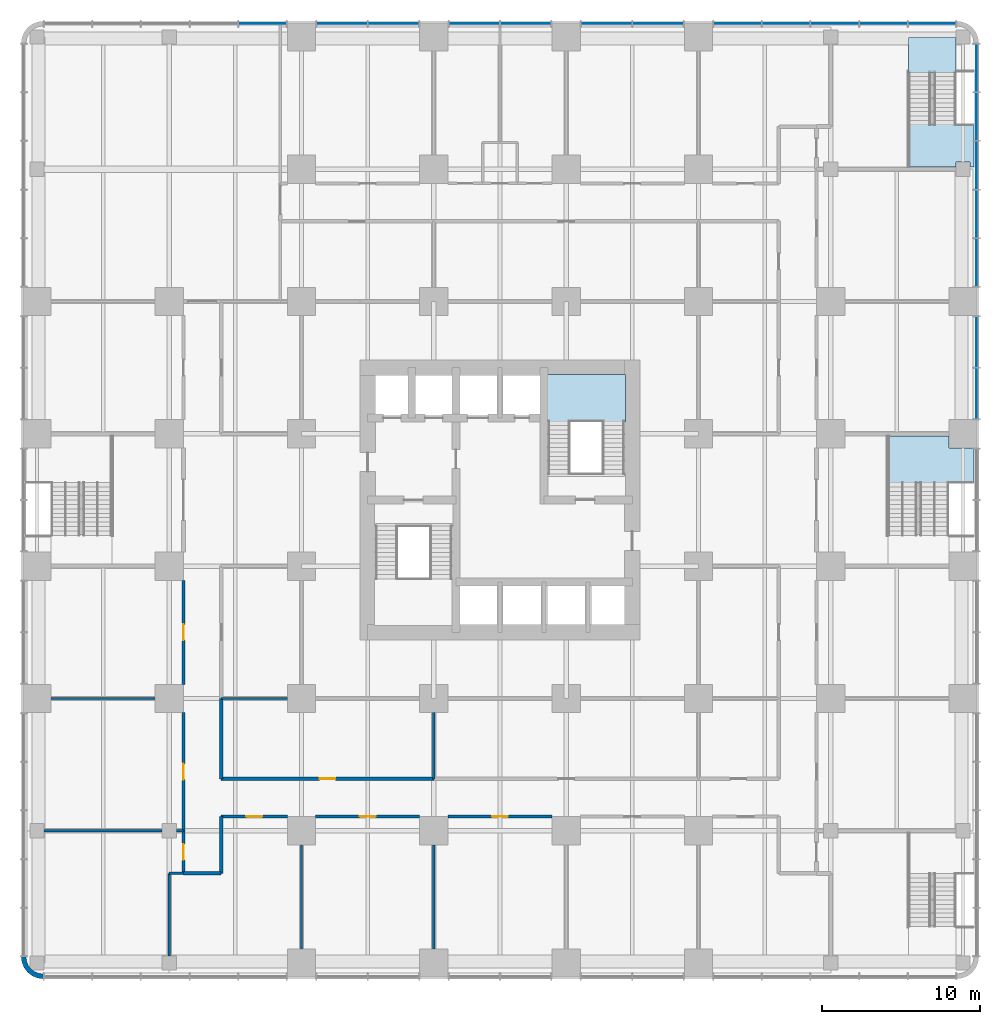
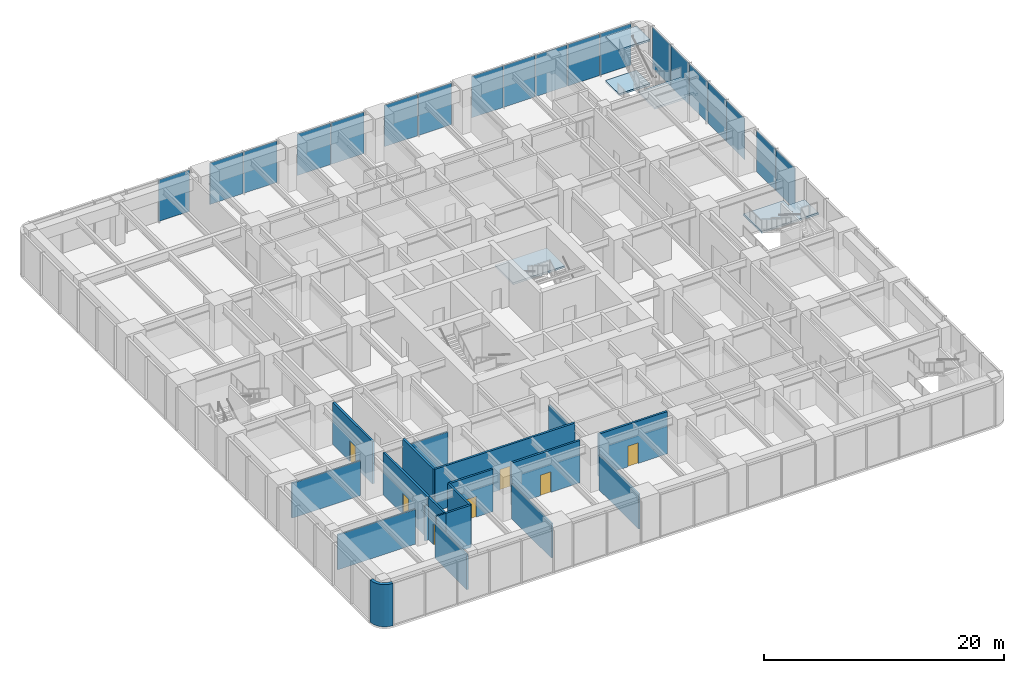
# One storey, part 9 of 17: 20 walls, 19 plates, 7 doors, 5 slabs, 7 openings, 5 elements without a shape of their own.
"""IFC4 building model written with IfcOpenShell, lengths in metres."""

from ifc_helpers import new_model, si_unit, direction, frame, frame_2d, origin, origin_2d, place, context, subcontext, project, spatial, polyline, rectangle, outline, extrude, material, layer, layer_set, type_object, element, fill, aggregate, save


model = new_model("IFC4")

# Units and contexts
model_context = context("Model", 3, precision=1e-05, world=origin(), true_north=direction((0.0, 1.0)))
body_context = subcontext(model_context, "Body", "Model", "MODEL_VIEW")
ifc_project = project(units=[si_unit("LENGTHUNIT", "METRE"), si_unit("AREAUNIT", "SQUARE_METRE"), si_unit("VOLUMEUNIT", "CUBIC_METRE"), si_unit("PLANEANGLEUNIT", "RADIAN"), si_unit("MASSUNIT", "GRAM", prefix="KILO")], contexts=[model_context])

# Site, building, storey
site_placement = place(None, origin())
site = spatial("IfcSite", under=ifc_project, at=site_placement, CompositionType="ELEMENT")
building_placement = place(site_placement, origin())
building = spatial("IfcBuilding", under=site, at=building_placement, Name="Torre Alcanfor", CompositionType="ELEMENT")
storey_placement = place(building_placement, frame((0.0, 0.0, 19.5)))
storey = spatial("IfcBuildingStorey", under=building, at=storey_placement, Name="L04", CompositionType="ELEMENT", Elevation=19.5)

# Curtain wall, plates
ifc_material_1 = material(Name="Aluminium and glass", Category="aluminium")
curtain_wall_type = type_object("IfcCurtainWallType", Name="CW-B unitised classroom glazing with vertical FIN", PredefinedType="NOTDEFINED", material=ifc_material_1)
curtain_wall_1_placement = place(storey_placement, origin())
curtain_wall_1 = element("IfcCurtainWall", 1, at=curtain_wall_1_placement, inside=storey, type_object=curtain_wall_type, Name="Curtain wall CW-B L04 1", PredefinedType="NOTDEFINED")
ifc_material_2 = material(Name="Glass", Category="glass")
ifc_layer_1 = layer(ifc_material_2, 0.028076171875)
ifc_layer_set_1 = layer_set([ifc_layer_1], Name="CW-B clear double glazed unit")
plate_type = type_object("IfcPlateType", Name="CW-B clear double glazed unit", PredefinedType="CURTAIN_PANEL", material=ifc_layer_set_1)
plate_1_placement = place(storey_placement, frame((59.64990234375, 36.168701171875, 0.0), z_axis=(0.0, 0.0, 1.0), x_axis=(0.0, 1.0, 0.0)))
plate_1 = element("IfcPlate", 2, at=plate_1_placement, type_object=plate_type, Name="CW-B panel 4.1.1", PredefinedType="CURTAIN_PANEL", context=body_context, shape_type="SweptSolid", body=[
    extrude(rectangle(XDim=3.197509765625, YDim=0.028076171875, at=origin_2d()), origin(), (0.0, 0.0, 1.0), 4.235107421875),
])
plate_2_placement = place(storey_placement, frame((59.64990234375, 39.43115234375, 0.0), z_axis=(0.0, 0.0, 1.0), x_axis=(0.0, 1.0, 0.0)))
plate_2 = element("IfcPlate", 3, at=plate_2_placement, type_object=plate_type, Name="CW-B panel 4.2.1", PredefinedType="CURTAIN_PANEL", context=body_context, shape_type="SweptSolid", body=[
    extrude(rectangle(XDim=3.197509765625, YDim=0.028076171875, at=origin_2d()), origin(), (0.0, 0.0, 1.0), 4.235107421875),
])
plate_3_placement = place(storey_placement, frame((59.64990234375, 44.470703125, 0.0), z_axis=(0.0, 0.0, 1.0), x_axis=(0.0, 1.0, 0.0)))
plate_3 = element("IfcPlate", 4, at=plate_3_placement, type_object=plate_type, Name="CW-B panel 5.1.1", PredefinedType="CURTAIN_PANEL", context=body_context, shape_type="SweptSolid", body=[
    extrude(rectangle(XDim=3.00146484375, YDim=0.028076171875, at=origin_2d()), origin(), (0.0, 0.0, 1.0), 4.235107421875),
])
plate_4_placement = place(storey_placement, frame((59.64990234375, 47.553466796875, 0.0), z_axis=(0.0, 0.0, 1.0), x_axis=(0.0, 1.0, 0.0)))
plate_4 = element("IfcPlate", 5, at=plate_4_placement, type_object=plate_type, Name="CW-B panel 5.2.1", PredefinedType="CURTAIN_PANEL", context=body_context, shape_type="SweptSolid", body=[
    extrude(rectangle(XDim=3.033935546875, YDim=0.028076171875, at=origin_2d()), origin(), (0.0, 0.0, 1.0), 4.235107421875),
])
plate_5_placement = place(storey_placement, frame((59.64990234375, 50.652587890625, 0.0), z_axis=(0.0, 0.0, 1.0), x_axis=(0.0, 1.0, 0.0)))
plate_5 = element("IfcPlate", 6, at=plate_5_placement, type_object=plate_type, Name="CW-B panel 5.3.1", PredefinedType="CURTAIN_PANEL", context=body_context, shape_type="SweptSolid", body=[
    extrude(rectangle(XDim=3.033935546875, YDim=0.028076171875, at=origin_2d()), origin(), (0.0, 0.0, 1.0), 4.235107421875),
])
plate_6_placement = place(storey_placement, frame((59.64990234375, 53.75146484375, 0.0), z_axis=(0.0, 0.0, 1.0), x_axis=(0.0, 1.0, 0.0)))
plate_6 = element("IfcPlate", 7, at=plate_6_placement, type_object=plate_type, Name="CW-B panel 5.4.1", PredefinedType="CURTAIN_PANEL", context=body_context, shape_type="SweptSolid", body=[
    extrude(rectangle(XDim=3.033935546875, YDim=0.028076171875, at=origin_2d()), origin(), (0.0, 0.0, 1.0), 4.235107421875),
])
plate_7_placement = place(storey_placement, frame((59.64990234375, 56.834228515625, 0.0), z_axis=(0.0, 0.0, 1.0), x_axis=(0.0, 1.0, 0.0)))
plate_7 = element("IfcPlate", 8, at=plate_7_placement, type_object=plate_type, Name="CW-B panel 5.5.1", PredefinedType="CURTAIN_PANEL", context=body_context, shape_type="SweptSolid", body=[
    extrude(rectangle(XDim=3.00146484375, YDim=0.028076171875, at=origin_2d()), origin(), (0.0, 0.0, 1.0), 4.235107421875),
])
aggregate(curtain_wall_1, [plate_1, plate_2, plate_3, plate_4, plate_5, plate_6, plate_7])

curtain_wall_2_placement = place(storey_placement, origin())
curtain_wall_2 = element("IfcCurtainWall", 9, at=curtain_wall_2_placement, inside=storey, type_object=curtain_wall_type, Name="Curtain wall CW-B L04 2", PredefinedType="NOTDEFINED")
plate_8_placement = place(storey_placement, frame((56.834228515625, 59.64990234375, 0.0), z_axis=(0.0, 0.0, 1.0), x_axis=(-1.0, 0.0, 0.0)))
plate_8 = element("IfcPlate", 10, at=plate_8_placement, type_object=plate_type, Name="CW-B panel 1.1.1", PredefinedType="CURTAIN_PANEL", context=body_context, shape_type="SweptSolid", body=[
    extrude(rectangle(XDim=3.00146484375, YDim=0.028076171875, at=origin_2d()), origin(), (0.0, 0.0, 1.0), 4.235107421875),
])
plate_9_placement = place(storey_placement, frame((53.75146484375, 59.64990234375, 0.0), z_axis=(0.0, 0.0, 1.0), x_axis=(-1.0, 0.0, 0.0)))
plate_9 = element("IfcPlate", 11, at=plate_9_placement, type_object=plate_type, Name="CW-B panel 1.2.1", PredefinedType="CURTAIN_PANEL", context=body_context, shape_type="SweptSolid", body=[
    extrude(rectangle(XDim=3.033935546875, YDim=0.028076171875, at=origin_2d()), origin(), (0.0, 0.0, 1.0), 4.235107421875),
])
plate_10_placement = place(storey_placement, frame((50.652587890625, 59.64990234375, 0.0), z_axis=(0.0, 0.0, 1.0), x_axis=(-1.0, 0.0, 0.0)))
plate_10 = element("IfcPlate", 12, at=plate_10_placement, type_object=plate_type, Name="CW-B panel 1.3.1", PredefinedType="CURTAIN_PANEL", context=body_context, shape_type="SweptSolid", body=[
    extrude(rectangle(XDim=3.033935546875, YDim=0.028076171875, at=origin_2d()), origin(), (0.0, 0.0, 1.0), 4.235107421875),
])
plate_11_placement = place(storey_placement, frame((47.553466796875, 59.64990234375, 0.0), z_axis=(0.0, 0.0, 1.0), x_axis=(-1.0, 0.0, 0.0)))
plate_11 = element("IfcPlate", 13, at=plate_11_placement, type_object=plate_type, Name="CW-B panel 1.4.1", PredefinedType="CURTAIN_PANEL", context=body_context, shape_type="SweptSolid", body=[
    extrude(rectangle(XDim=3.033935546875, YDim=0.028076171875, at=origin_2d()), origin(), (0.0, 0.0, 1.0), 4.235107421875),
])
plate_12_placement = place(storey_placement, frame((44.470703125, 59.64990234375, 0.0), z_axis=(0.0, 0.0, 1.0), x_axis=(-1.0, 0.0, 0.0)))
plate_12 = element("IfcPlate", 14, at=plate_12_placement, type_object=plate_type, Name="CW-B panel 1.5.1", PredefinedType="CURTAIN_PANEL", context=body_context, shape_type="SweptSolid", body=[
    extrude(rectangle(XDim=3.00146484375, YDim=0.028076171875, at=origin_2d()), origin(), (0.0, 0.0, 1.0), 4.235107421875),
])
plate_13_placement = place(storey_placement, frame((39.43115234375, 59.64990234375, 0.0), z_axis=(0.0, 0.0, 1.0), x_axis=(-1.0, 0.0, 0.0)))
plate_13 = element("IfcPlate", 15, at=plate_13_placement, type_object=plate_type, Name="CW-B panel 2.1.1", PredefinedType="CURTAIN_PANEL", context=body_context, shape_type="SweptSolid", body=[
    extrude(rectangle(XDim=3.197509765625, YDim=0.028076171875, at=origin_2d()), origin(), (0.0, 0.0, 1.0), 4.235107421875),
])
plate_14_placement = place(storey_placement, frame((36.168701171875, 59.64990234375, 0.0), z_axis=(0.0, 0.0, 1.0), x_axis=(-1.0, 0.0, 0.0)))
plate_14 = element("IfcPlate", 16, at=plate_14_placement, type_object=plate_type, Name="CW-B panel 2.2.1", PredefinedType="CURTAIN_PANEL", context=body_context, shape_type="SweptSolid", body=[
    extrude(rectangle(XDim=3.197509765625, YDim=0.028076171875, at=origin_2d()), origin(), (0.0, 0.0, 1.0), 4.235107421875),
])
plate_15_placement = place(storey_placement, frame((31.03125, 59.64990234375, 0.0), z_axis=(0.0, 0.0, 1.0), x_axis=(-1.0, 0.0, 0.0)))
plate_15 = element("IfcPlate", 17, at=plate_15_placement, type_object=plate_type, Name="CW-B panel 3.1.1", PredefinedType="CURTAIN_PANEL", context=body_context, shape_type="SweptSolid", body=[
    extrude(rectangle(XDim=3.197509765625, YDim=0.028076171875, at=origin_2d()), origin(), (0.0, 0.0, 1.0), 4.235107421875),
])
plate_16_placement = place(storey_placement, frame((27.768798828125, 59.64990234375, 0.0), z_axis=(0.0, 0.0, 1.0), x_axis=(-1.0, 0.0, 0.0)))
plate_16 = element("IfcPlate", 18, at=plate_16_placement, type_object=plate_type, Name="CW-B panel 3.2.1", PredefinedType="CURTAIN_PANEL", context=body_context, shape_type="SweptSolid", body=[
    extrude(rectangle(XDim=3.197509765625, YDim=0.028076171875, at=origin_2d()), origin(), (0.0, 0.0, 1.0), 4.235107421875),
])
plate_17_placement = place(storey_placement, frame((22.63134765625, 59.64990234375, 0.0), z_axis=(0.0, 0.0, 1.0), x_axis=(-1.0, 0.0, 0.0)))
plate_17 = element("IfcPlate", 19, at=plate_17_placement, type_object=plate_type, Name="CW-B panel 4.1.1", PredefinedType="CURTAIN_PANEL", context=body_context, shape_type="SweptSolid", body=[
    extrude(rectangle(XDim=3.197509765625, YDim=0.028076171875, at=origin_2d()), origin(), (0.0, 0.0, 1.0), 4.235107421875),
])
plate_18_placement = place(storey_placement, frame((19.36865234375, 59.64990234375, 0.0), z_axis=(0.0, 0.0, 1.0), x_axis=(-1.0, 0.0, 0.0)))
plate_18 = element("IfcPlate", 20, at=plate_18_placement, type_object=plate_type, Name="CW-B panel 4.2.1", PredefinedType="CURTAIN_PANEL", context=body_context, shape_type="SweptSolid", body=[
    extrude(rectangle(XDim=3.197509765625, YDim=0.028076171875, at=origin_2d()), origin(), (0.0, 0.0, 1.0), 4.235107421875),
])
plate_19_placement = place(storey_placement, frame((14.329345703125, 59.64990234375, 0.0), z_axis=(0.0, 0.0, 1.0), x_axis=(-1.0, 0.0, 0.0)))
plate_19 = element("IfcPlate", 21, at=plate_19_placement, type_object=plate_type, Name="CW-B panel 5.1.1", PredefinedType="CURTAIN_PANEL", context=body_context, shape_type="SweptSolid", body=[
    extrude(rectangle(XDim=3.00146484375, YDim=0.028076171875, at=origin_2d()), origin(), (0.0, 0.0, 1.0), 4.235107421875),
])
aggregate(curtain_wall_2, [plate_8, plate_9, plate_10, plate_11, plate_12, plate_13, plate_14, plate_15, plate_16, plate_17, plate_18, plate_19])

# Stair, slab
ifc_material_3 = material(Name="Concrete f'c 35 MPa", Category="concrete")
stair_type_1 = type_object("IfcStairType", Name="Exit stair S2 1400 wide", PredefinedType="HALF_TURN_STAIR", material=ifc_material_3)
stair_1_placement = place(storey_placement, origin())
stair_1 = element("IfcStair", 22, at=stair_1_placement, inside=storey, type_object=stair_type_1, Name="Stair S2 L04 to L05", PredefinedType="HALF_TURN_STAIR")
ifc_material_4 = material(Name="Concrete f'c 35 MPa", Category="concrete")
ifc_layer_2 = layer(ifc_material_4, 0.199951171875)
ifc_layer_set_2 = layer_set([ifc_layer_2], Name="Stair landing 200")
slab_type = type_object("IfcSlabType", Name="Stair landing 200", PredefinedType="LANDING", material=ifc_layer_set_2)
slab_1_placement = place(storey_placement, frame((0.0, 0.0, 2.050048828125)))
slab_1 = element("IfcSlab", 23, at=slab_1_placement, type_object=slab_type, Name="S2 landing 2", PredefinedType="LANDING", context=body_context, shape_type="SweptSolid", body=[
    extrude(outline(polyline([(32.3701171875, 34.360107421875), (37.3798828125, 34.360107421875), (37.3798828125, 37.3798828125), (32.3701171875, 37.3798828125), (32.3701171875, 34.360107421875)])), origin(), (0.0, 0.0, 1.0), 0.199951171875),
])
aggregate(stair_1, [slab_1])

ifc_material_5 = material(Name="Concrete f'c 35 MPa", Category="concrete")
stair_type_2 = type_object("IfcStairType", Name="Exit stair SS2 1830 wide", PredefinedType="HALF_TURN_STAIR", material=ifc_material_5)
stair_2_placement = place(storey_placement, origin())
stair_2 = element("IfcStair", 24, at=stair_2_placement, inside=storey, type_object=stair_type_2, Name="Stair SS2 L04 to L05", PredefinedType="HALF_TURN_STAIR")
slab_2_placement = place(storey_placement, frame((0.0, 0.0, 2.050048828125)))
slab_2 = element("IfcSlab", 25, at=slab_2_placement, type_object=slab_type, Name="SS2 landing 3", PredefinedType="LANDING", context=body_context, shape_type="SweptSolid", body=[
    extrude(outline(polyline([(59.5, 30.465087890625), (54.0400390625, 30.465087890625), (54.0400390625, 33.465087890625), (57.89990234375, 33.465087890625), (57.89990234375, 32.699951171875), (59.5, 32.699951171875), (59.5, 30.465087890625)])), origin(), (0.0, 0.0, 1.0), 0.199951171875),
])
aggregate(stair_2, [slab_2])

# Stair, slabs
ifc_material_6 = material(Name="Concrete f'c 35 MPa", Category="concrete")
stair_type_3 = type_object("IfcStairType", Name="Exit stair SS4 1400 wide", PredefinedType="HALF_TURN_STAIR", material=ifc_material_6)
stair_3_placement = place(storey_placement, origin())
stair_3 = element("IfcStair", 26, at=stair_3_placement, inside=storey, type_object=stair_type_3, Name="Stair SS4 L04 to L05", PredefinedType="HALF_TURN_STAIR")
slab_3_placement = place(storey_placement, frame((0.0, 0.0, 4.300048828125)))
slab_3 = element("IfcSlab", 27, at=slab_3_placement, type_object=slab_type, Name="SS4 landing 1", PredefinedType="LANDING", context=body_context, shape_type="SweptSolid", body=[
    extrude(outline(polyline([(58.35009765625, 56.52490234375), (58.35009765625, 58.77490234375), (55.35009765625, 58.77490234375), (55.35009765625, 56.52490234375), (58.35009765625, 56.52490234375)])), origin(), (0.0, 0.0, 1.0), 0.199951171875),
])
slab_4_placement = place(storey_placement, frame((0.0, 0.0, -0.199951171875)))
slab_4 = element("IfcSlab", 28, at=slab_4_placement, type_object=slab_type, Name="SS4 landing 2", PredefinedType="LANDING", context=body_context, shape_type="SweptSolid", body=[
    extrude(outline(polyline([(55.35009765625, 58.77490234375), (58.35009765625, 58.77490234375), (58.35009765625, 58.35009765625), (58.35009765625, 58.35009765625), (58.35009765625, 56.52490234375), (55.35009765625, 56.52490234375), (55.35009765625, 58.77490234375)])), origin(), (0.0, 0.0, 1.0), 0.199951171875),
])
slab_5_placement = place(storey_placement, frame((0.0, 0.0, 2.050048828125)))
slab_5 = element("IfcSlab", 29, at=slab_5_placement, type_object=slab_type, Name="SS4 landing 3", PredefinedType="LANDING", context=body_context, shape_type="SweptSolid", body=[
    extrude(outline(polyline([(55.35009765625, 50.5400390625), (55.35009765625, 53.264892578125), (59.5, 53.264892578125), (59.5, 50.5400390625), (59.25, 50.5400390625), (59.25, 50.85009765625), (58.35009765625, 50.85009765625), (58.35009765625, 50.5400390625), (55.35009765625, 50.5400390625)])), origin(), (0.0, 0.0, 1.0), 0.199951171875),
])
aggregate(stair_3, [slab_3, slab_4, slab_5])

# Walls
ifc_material_7 = material(Name="Concrete block masonry, hollow blocks NMX-C-404 9 MPa", Category="masonry")
ifc_layer_3 = layer(ifc_material_7, 0.14990234375)
ifc_layer_set_3 = layer_set([ifc_layer_3], Name="Classroom partition 150")
wall_type_1 = type_object("IfcWallType", Name="Classroom partition 150", PredefinedType="PARTITIONING", material=ifc_layer_set_3)
wall_1_placement = place(storey_placement, frame((8.39990234375, 0.449951171875, 0.0), z_axis=(0.0, 0.0, 1.0), x_axis=(0.0, 1.0, 0.0)))
element("IfcWall", 30, at=wall_1_placement, inside=storey, type_object=wall_type_1, Name="Partition L04-01 / L04-03", PredefinedType="PARTITIONING", context=body_context, shape_type="SweptSolid", body=[
    extrude(rectangle(XDim=5.25, YDim=0.14990234375, at=frame_2d((2.625, 0.0))), origin(), (0.0, 0.0, 1.0), 3.543212890625),
])
wall_2_placement = place(storey_placement, frame((8.39990234375, 5.699951171875, 0.0), z_axis=(0.0, 0.0, 1.0), x_axis=(1.0, 0.0, 0.0)))
element("IfcWall", 31, at=wall_2_placement, inside=storey, type_object=wall_type_1, Name="Partition L04-01 / L04-03", PredefinedType="PARTITIONING", context=body_context, shape_type="SweptSolid", body=[
    extrude(rectangle(XDim=0.900146484375, YDim=0.14990234375, at=frame_2d((0.4501953125, 0.0))), origin(), (0.0, 0.0, 1.0), 4.300048828125),
])
wall_3_placement = place(storey_placement, frame((16.800048828125, 7.5, 0.0), z_axis=(0.0, 0.0, 1.0), x_axis=(0.0, -1.0, 0.0)))
element("IfcWall", 32, at=wall_3_placement, inside=storey, type_object=wall_type_1, Name="Partition L04-01 / L04-05", PredefinedType="PARTITIONING", context=body_context, shape_type="SweptSolid", body=[
    extrude(rectangle(XDim=6.60009765625, YDim=0.14990234375, at=frame_2d((3.300048828125, 0.0))), origin(), (0.0, 0.0, 1.0), 3.543212890625),
])
wall_4_placement = place(storey_placement, frame((0.449951171875, 8.39990234375, 0.0), z_axis=(0.0, 0.0, 1.0), x_axis=(1.0, 0.0, 0.0)))
element("IfcWall", 33, at=wall_4_placement, inside=storey, type_object=wall_type_1, Name="Partition L04-03 / L04-08", PredefinedType="PARTITIONING", context=body_context, shape_type="SweptSolid", body=[
    extrude(rectangle(XDim=7.5, YDim=0.14990234375, at=frame_2d((3.75, 0.0))), origin(), (0.0, 0.0, 1.0), 3.543212890625),
])
wall_5_placement = place(storey_placement, frame((8.85009765625, 8.39990234375, 0.0), z_axis=(0.0, 0.0, 1.0), x_axis=(1.0, 0.0, 0.0)))
element("IfcWall", 34, at=wall_5_placement, inside=storey, type_object=wall_type_1, Name="Partition L04-03 / L04-08", PredefinedType="PARTITIONING", context=body_context, shape_type="SweptSolid", body=[
    extrude(rectangle(XDim=0.449951171875, YDim=0.14990234375, at=frame_2d((0.22509765625, 0.0))), origin(), (0.0, 0.0, 1.0), 3.543212890625),
])
for number, where, z_axis, x_axis, name in (
    (35, (25.199951171875, 7.5, 0.0), (0.0, 0.0, 1.0), (0.0, -1.0, 0.0), "Partition L04-05 / L04-06"),
    (36, (0.89990234375, 16.800048828125, 0.0), (0.0, 0.0, 1.0), (1.0, 0.0, 0.0), "Partition L04-08 / L04-10"),
):
    element("IfcWall", number, at=place(storey_placement, frame(where, z_axis=z_axis, x_axis=x_axis)), inside=storey, type_object=wall_type_1, Name=name, PredefinedType="PARTITIONING", context=body_context, shape_type="SweptSolid", body=[
        extrude(rectangle(XDim=6.60009765625, YDim=0.14990234375, at=frame_2d((3.300048828125, 0.0))), origin(), (0.0, 0.0, 1.0), 3.543212890625),
    ])
for number, where, z_axis, x_axis, name in (
    (37, (25.199951171875, 11.699951171875, 0.0), (0.0, 0.0, 1.0), (0.0, 1.0, 0.0), "Partition L04-I01 / L04-I02"),
    (38, (11.699951171875, 16.800048828125, 0.0), (0.0, 0.0, 1.0), (1.0, 0.0, 0.0), "Partition L04-I02 / L04-I04"),
):
    element("IfcWall", number, at=place(storey_placement, frame(where, z_axis=z_axis, x_axis=x_axis)), inside=storey, type_object=wall_type_1, Name=name, PredefinedType="PARTITIONING", context=body_context, shape_type="SweptSolid", body=[
        extrude(rectangle(XDim=4.199951171875, YDim=0.14990234375, at=frame_2d((2.10009765625, 0.0))), origin(), (0.0, 0.0, 1.0), 3.543212890625),
    ])
ifc_material_8 = material(Name="Limestone cladding", Category="masonry")
ifc_layer_4 = layer(ifc_material_8, 0.0400390625, Name="Facing")
ifc_material_9 = material(Name="Ventilated air cavity")
ifc_layer_5 = layer(ifc_material_9, 0.02001953125, ventilated=True, Name="Ventilated joint")
ifc_material_10 = material(Name="Mineral wool insulation", Category="insulation")
ifc_layer_6 = layer(ifc_material_10, 0.10009765625, Name="Insulation")
ifc_material_11 = material(Name="Concrete f'c 35 MPa", Category="concrete")
ifc_layer_7 = layer(ifc_material_11, 0.139892578125, Name="Backing")
ifc_layer_set_4 = layer_set([ifc_layer_4, ifc_layer_5, ifc_layer_6, ifc_layer_7], Name="Rounded corner pier stone-clad 300")
wall_type_2 = type_object("IfcWallType", Name="Rounded corner pier stone-clad 300", PredefinedType="SOLIDWALL", material=ifc_layer_set_4)
wall_6_placement = place(storey_placement, frame((-0.847901787, 0.444811019, 0.0), z_axis=(0.0, 0.0, 1.0), x_axis=(-0.707106781187, -0.707106781187, 0.0)))
element("IfcWall", 39, at=wall_6_placement, inside=storey, type_object=wall_type_2, Name="Corner pier L04 7", PredefinedType="SOLIDWALL", context=body_context, shape_type="SweptSolid", body=[
    extrude(outline(polyline([(0.13930490662203532, 1.9039664315138563), (-0.10082828005532996, 1.7197664960826926), (-0.08684496724377955, 1.705783183271142), (0.09959920357689223, 1.4627152272382664), (0.2092214706797873, 1.1980680847678131), (0.24668293833542226, 0.9140859912492898), (0.2092214706797873, 0.6301038977307667), (0.09959920357689234, 0.3654567552603133), (-0.0868449672437794, 0.12238879922743755), (-0.10082828005532977, 0.10840548641588717), (0.13930490662203537, -0.07579444901527647), (0.36182947716633707, 0.2140571832142678), (0.5016626052818409, 0.5517282925894844), (0.5491368154445118, 0.9140859912492898), (0.5016626052818408, 1.2764436899090952), (0.36182947716633707, 1.614114799284312), (0.13930490662203532, 1.9039664315138563)])), origin(), (0.0, 0.0, 1.0), 4.300048828125),
])
ifc_material_12 = material(Name="Concrete block masonry, hollow blocks NMX-C-404 9 MPa", Category="masonry")
ifc_layer_8 = layer(ifc_material_12, 0.199951171875)
ifc_layer_set_5 = layer_set([ifc_layer_8], Name="School corridor wall 200")
wall_type_3 = type_object("IfcWallType", Name="School corridor wall 200", PredefinedType="PARTITIONING", material=ifc_layer_set_5)
wall_7_placement = place(storey_placement, frame((9.300048828125, 5.699951171875, 0.0), z_axis=(0.0, 0.0, 1.0), x_axis=(1.0, 0.0, 0.0)))
element("IfcWall", 40, at=wall_7_placement, inside=storey, type_object=wall_type_3, Name="Partition L04-01 / L04-CORR", PredefinedType="PARTITIONING", context=body_context, shape_type="SweptSolid", body=[
    extrude(rectangle(XDim=2.39990234375, YDim=0.199951171875, at=frame_2d((1.199951171875, 0.0))), origin(), (0.0, 0.0, 1.0), 4.300048828125),
])
wall_8_placement = place(storey_placement, frame((11.699951171875, 5.699951171875, 0.0), z_axis=(0.0, 0.0, 1.0), x_axis=(0.0, 1.0, 0.0)))
element("IfcWall", 41, at=wall_8_placement, inside=storey, type_object=wall_type_3, Name="Partition L04-01 / L04-CORR", PredefinedType="PARTITIONING", context=body_context, shape_type="SweptSolid", body=[
    extrude(rectangle(XDim=3.60009765625, YDim=0.199951171875, at=frame_2d((1.800048828125, 0.0))), origin(), (0.0, 0.0, 1.0), 4.300048828125),
])

# Wall, opening, door
wall_9_placement = place(storey_placement, frame((11.699951171875, 9.300048828125, 0.0), z_axis=(0.0, 0.0, 1.0), x_axis=(1.0, 0.0, 0.0)))
wall_9 = element("IfcWall", 42, at=wall_9_placement, inside=storey, type_object=wall_type_3, Name="Partition L04-01 / L04-CORR", PredefinedType="PARTITIONING", context=body_context, shape_type="SweptSolid", body=[
    extrude(rectangle(XDim=4.199951171875, YDim=0.199951171875, at=frame_2d((2.10009765625, 0.0))), origin(), (0.0, 0.0, 1.0), 4.300048828125),
])
opening_1_placement = place(wall_9_placement, frame((1.60009765625, 0.0, 0.0)))
opening_1 = element("IfcOpeningElement", 43, at=opening_1_placement, cuts=wall_9, Name="Opening D-C1", PredefinedType="OPENING", context=body_context, shape_type="SweptSolid", body=[
    extrude(rectangle(XDim=1.0, YDim=2.10009765625, at=frame_2d((0.5, 1.050048828125))), frame((0.0, 0.10986328125, 0.0), z_axis=(0.0, -1.0, 0.0), x_axis=(1.0, 0.0, 0.0)), (0.0, 0.0, 1.0), 0.219970703125),
])
ifc_material_13 = material(Name="Timber", Category="wood")
door_type = type_object("IfcDoorType", Name="Classroom door 1000x2100", OperationType="SINGLE_SWING_RIGHT", PredefinedType="DOOR", material=ifc_material_13)
door_1_placement = place(opening_1_placement, frame((1.0, 0.0, 0.0), z_axis=(0.0, 0.0, 1.0), x_axis=(-1.0, 0.0, 0.0)))
door_1 = element("IfcDoor", 44, at=door_1_placement, inside=storey, type_object=door_type, Name="Door L04-01 classroom", OperationType="SINGLE_SWING_RIGHT", OverallHeight=2.10009765625, OverallWidth=1.0, PredefinedType="DOOR", context=body_context, shape_type="SweptSolid", body=[
    extrude(rectangle(XDim=1.0, YDim=2.10009765625, at=frame_2d((0.5, 1.050048828125))), frame((0.0, 0.025146484375, 0.0), z_axis=(0.0, -1.0, 0.0), x_axis=(1.0, 0.0, 0.0)), (0.0, 0.0, 1.0), 0.050048828125),
])
fill(opening_1, door_1)

wall_10_placement = place(storey_placement, frame((9.300048828125, 8.39990234375, 0.0), z_axis=(0.0, 0.0, 1.0), x_axis=(0.0, -1.0, 0.0)))
wall_10 = element("IfcWall", 45, at=wall_10_placement, inside=storey, type_object=wall_type_3, Name="Partition L04-03 / L04-CORR", PredefinedType="PARTITIONING", context=body_context, shape_type="SweptSolid", body=[
    extrude(rectangle(XDim=2.699951171875, YDim=0.199951171875, at=frame_2d((1.35009765625, 0.0))), origin(), (0.0, 0.0, 1.0), 4.300048828125),
])
opening_2_placement = place(wall_10_placement, frame((0.85009765625, 0.0, 0.0)))
opening_2 = element("IfcOpeningElement", 46, at=opening_2_placement, cuts=wall_10, Name="Opening D-C1", PredefinedType="OPENING", context=body_context, shape_type="SweptSolid", body=[
    extrude(rectangle(XDim=1.0, YDim=2.10009765625, at=frame_2d((0.5, 1.050048828125))), frame((0.0, 0.10986328125, 0.0), z_axis=(0.0, -1.0, 0.0), x_axis=(1.0, 0.0, 0.0)), (0.0, 0.0, 1.0), 0.219970703125),
])
door_2_placement = place(opening_2_placement, frame((1.0, 0.0, 0.0), z_axis=(0.0, 0.0, 1.0), x_axis=(-1.0, 0.0, 0.0)))
door_2 = element("IfcDoor", 47, at=door_2_placement, inside=storey, type_object=door_type, Name="Door L04-03 classroom", OperationType="SINGLE_SWING_RIGHT", OverallHeight=2.10009765625, OverallWidth=1.0, PredefinedType="DOOR", context=body_context, shape_type="SweptSolid", body=[
    extrude(rectangle(XDim=1.0, YDim=2.10009765625, at=frame_2d((0.5, 1.050048828125))), frame((0.0, 0.025146484375, 0.0), z_axis=(0.0, -1.0, 0.0), x_axis=(1.0, 0.0, 0.0)), (0.0, 0.0, 1.0), 0.050048828125),
])
fill(opening_2, door_2)

wall_11_placement = place(storey_placement, frame((17.699951171875, 9.300048828125, 0.0), z_axis=(0.0, 0.0, 1.0), x_axis=(1.0, 0.0, 0.0)))
wall_11 = element("IfcWall", 48, at=wall_11_placement, inside=storey, type_object=wall_type_3, Name="Partition L04-05 / L04-CORR", PredefinedType="PARTITIONING", context=body_context, shape_type="SweptSolid", body=[
    extrude(rectangle(XDim=6.60009765625, YDim=0.199951171875, at=frame_2d((3.300048828125, 0.0))), origin(), (0.0, 0.0, 1.0), 4.300048828125),
])
opening_3_placement = place(wall_11_placement, frame((2.800048828125, 0.0, 0.0)))
opening_3 = element("IfcOpeningElement", 49, at=opening_3_placement, cuts=wall_11, Name="Opening D-C1", PredefinedType="OPENING", context=body_context, shape_type="SweptSolid", body=[
    extrude(rectangle(XDim=1.0, YDim=2.10009765625, at=frame_2d((0.5, 1.050048828125))), frame((0.0, 0.10986328125, 0.0), z_axis=(0.0, -1.0, 0.0), x_axis=(1.0, 0.0, 0.0)), (0.0, 0.0, 1.0), 0.219970703125),
])
door_3_placement = place(opening_3_placement, frame((1.0, 0.0, 0.0), z_axis=(0.0, 0.0, 1.0), x_axis=(-1.0, 0.0, 0.0)))
door_3 = element("IfcDoor", 50, at=door_3_placement, inside=storey, type_object=door_type, Name="Door L04-05 classroom", OperationType="SINGLE_SWING_RIGHT", OverallHeight=2.10009765625, OverallWidth=1.0, PredefinedType="DOOR", context=body_context, shape_type="SweptSolid", body=[
    extrude(rectangle(XDim=1.0, YDim=2.10009765625, at=frame_2d((0.5, 1.050048828125))), frame((0.0, 0.025146484375, 0.0), z_axis=(0.0, -1.0, 0.0), x_axis=(1.0, 0.0, 0.0)), (0.0, 0.0, 1.0), 0.050048828125),
])
fill(opening_3, door_3)

wall_12_placement = place(storey_placement, frame((26.10009765625, 9.300048828125, 0.0), z_axis=(0.0, 0.0, 1.0), x_axis=(1.0, 0.0, 0.0)))
wall_12 = element("IfcWall", 51, at=wall_12_placement, inside=storey, type_object=wall_type_3, Name="Partition L04-06 / L04-CORR", PredefinedType="PARTITIONING", context=body_context, shape_type="SweptSolid", body=[
    extrude(rectangle(XDim=6.599853515625, YDim=0.199951171875, at=frame_2d((3.2998046875, 0.0))), origin(), (0.0, 0.0, 1.0), 4.300048828125),
])
opening_4_placement = place(wall_12_placement, frame((2.800048828125, 0.0, 0.0)))
opening_4 = element("IfcOpeningElement", 52, at=opening_4_placement, cuts=wall_12, Name="Opening D-C1", PredefinedType="OPENING", context=body_context, shape_type="SweptSolid", body=[
    extrude(rectangle(XDim=1.0, YDim=2.10009765625, at=frame_2d((0.5, 1.050048828125))), frame((0.0, 0.10986328125, 0.0), z_axis=(0.0, -1.0, 0.0), x_axis=(1.0, 0.0, 0.0)), (0.0, 0.0, 1.0), 0.219970703125),
])
door_4_placement = place(opening_4_placement, frame((1.0, 0.0, 0.0), z_axis=(0.0, 0.0, 1.0), x_axis=(-1.0, 0.0, 0.0)))
door_4 = element("IfcDoor", 53, at=door_4_placement, inside=storey, type_object=door_type, Name="Door L04-06 classroom", OperationType="SINGLE_SWING_RIGHT", OverallHeight=2.10009765625, OverallWidth=1.0, PredefinedType="DOOR", context=body_context, shape_type="SweptSolid", body=[
    extrude(rectangle(XDim=1.0, YDim=2.10009765625, at=frame_2d((0.5, 1.050048828125))), frame((0.0, 0.025146484375, 0.0), z_axis=(0.0, -1.0, 0.0), x_axis=(1.0, 0.0, 0.0)), (0.0, 0.0, 1.0), 0.050048828125),
])
fill(opening_4, door_4)

wall_13_placement = place(storey_placement, frame((9.300048828125, 15.89990234375, 0.0), z_axis=(0.0, 0.0, 1.0), x_axis=(0.0, -1.0, 0.0)))
wall_13 = element("IfcWall", 54, at=wall_13_placement, inside=storey, type_object=wall_type_3, Name="Partition L04-08 / L04-CORR", PredefinedType="PARTITIONING", context=body_context, shape_type="SweptSolid", body=[
    extrude(rectangle(XDim=7.5, YDim=0.199951171875, at=frame_2d((3.75, 0.0))), origin(), (0.0, 0.0, 1.0), 4.300048828125),
])
opening_5_placement = place(wall_13_placement, frame((3.25, 0.0, 0.0)))
opening_5 = element("IfcOpeningElement", 55, at=opening_5_placement, cuts=wall_13, Name="Opening D-C1", PredefinedType="OPENING", context=body_context, shape_type="SweptSolid", body=[
    extrude(rectangle(XDim=1.0, YDim=2.10009765625, at=frame_2d((0.5, 1.050048828125))), frame((0.0, 0.10986328125, 0.0), z_axis=(0.0, -1.0, 0.0), x_axis=(1.0, 0.0, 0.0)), (0.0, 0.0, 1.0), 0.219970703125),
])
door_5_placement = place(opening_5_placement, frame((1.0, 0.0, 0.0), z_axis=(0.0, 0.0, 1.0), x_axis=(-1.0, 0.0, 0.0)))
door_5 = element("IfcDoor", 56, at=door_5_placement, inside=storey, type_object=door_type, Name="Door L04-08 classroom", OperationType="SINGLE_SWING_RIGHT", OverallHeight=2.10009765625, OverallWidth=1.0, PredefinedType="DOOR", context=body_context, shape_type="SweptSolid", body=[
    extrude(rectangle(XDim=1.0, YDim=2.10009765625, at=frame_2d((0.5, 1.050048828125))), frame((0.0, 0.025146484375, 0.0), z_axis=(0.0, -1.0, 0.0), x_axis=(1.0, 0.0, 0.0)), (0.0, 0.0, 1.0), 0.050048828125),
])
fill(opening_5, door_5)

wall_14_placement = place(storey_placement, frame((9.300048828125, 24.300048828125, 0.0), z_axis=(0.0, 0.0, 1.0), x_axis=(0.0, -1.0, 0.0)))
wall_14 = element("IfcWall", 57, at=wall_14_placement, inside=storey, type_object=wall_type_3, Name="Partition L04-10 / L04-CORR", PredefinedType="PARTITIONING", context=body_context, shape_type="SweptSolid", body=[
    extrude(rectangle(XDim=6.60009765625, YDim=0.199951171875, at=frame_2d((3.300048828125, 0.0))), origin(), (0.0, 0.0, 1.0), 4.300048828125),
])
opening_6_placement = place(wall_14_placement, frame((2.800048828125, 0.0, 0.0)))
opening_6 = element("IfcOpeningElement", 58, at=opening_6_placement, cuts=wall_14, Name="Opening D-C1", PredefinedType="OPENING", context=body_context, shape_type="SweptSolid", body=[
    extrude(rectangle(XDim=1.0, YDim=2.10009765625, at=frame_2d((0.5, 1.050048828125))), frame((0.0, 0.10986328125, 0.0), z_axis=(0.0, -1.0, 0.0), x_axis=(1.0, 0.0, 0.0)), (0.0, 0.0, 1.0), 0.219970703125),
])
door_6_placement = place(opening_6_placement, frame((1.0, 0.0, 0.0), z_axis=(0.0, 0.0, 1.0), x_axis=(-1.0, 0.0, 0.0)))
door_6 = element("IfcDoor", 59, at=door_6_placement, inside=storey, type_object=door_type, Name="Door L04-10 classroom", OperationType="SINGLE_SWING_RIGHT", OverallHeight=2.10009765625, OverallWidth=1.0, PredefinedType="DOOR", context=body_context, shape_type="SweptSolid", body=[
    extrude(rectangle(XDim=1.0, YDim=2.10009765625, at=frame_2d((0.5, 1.050048828125))), frame((0.0, 0.025146484375, 0.0), z_axis=(0.0, -1.0, 0.0), x_axis=(1.0, 0.0, 0.0)), (0.0, 0.0, 1.0), 0.050048828125),
])
fill(opening_6, door_6)

# Wall
wall_15_placement = place(storey_placement, frame((11.699951171875, 16.800048828125, 0.0), z_axis=(0.0, 0.0, 1.0), x_axis=(0.0, -1.0, 0.0)))
element("IfcWall", 60, at=wall_15_placement, inside=storey, type_object=wall_type_3, Name="Partition L04-CORR / L04-I02", PredefinedType="PARTITIONING", context=body_context, shape_type="SweptSolid", body=[
    extrude(rectangle(XDim=5.10009765625, YDim=0.199951171875, at=frame_2d((2.550048828125, 0.0))), origin(), (0.0, 0.0, 1.0), 4.300048828125),
])

# Wall, opening, door
wall_16_placement = place(storey_placement, frame((11.699951171875, 11.699951171875, 0.0), z_axis=(0.0, 0.0, 1.0), x_axis=(1.0, 0.0, 0.0)))
wall_16 = element("IfcWall", 61, at=wall_16_placement, inside=storey, type_object=wall_type_3, Name="Partition L04-CORR / L04-I02", PredefinedType="PARTITIONING", context=body_context, shape_type="SweptSolid", body=[
    extrude(rectangle(XDim=13.5, YDim=0.199951171875, at=frame_2d((6.75, 0.0))), origin(), (0.0, 0.0, 1.0), 4.300048828125),
])
opening_7_placement = place(wall_16_placement, frame((6.25, 0.0, 0.0)))
opening_7 = element("IfcOpeningElement", 62, at=opening_7_placement, cuts=wall_16, Name="Opening D-C1", PredefinedType="OPENING", context=body_context, shape_type="SweptSolid", body=[
    extrude(rectangle(XDim=1.0, YDim=2.10009765625, at=frame_2d((0.5, 1.050048828125))), frame((0.0, 0.10986328125, 0.0), z_axis=(0.0, -1.0, 0.0), x_axis=(1.0, 0.0, 0.0)), (0.0, 0.0, 1.0), 0.219970703125),
])
door_7_placement = place(opening_7_placement, origin())
door_7 = element("IfcDoor", 63, at=door_7_placement, inside=storey, type_object=door_type, Name="Door L04-I02 learning resource room", OperationType="SINGLE_SWING_LEFT", OverallHeight=2.10009765625, OverallWidth=1.0, PredefinedType="DOOR", context=body_context, shape_type="SweptSolid", body=[
    extrude(rectangle(XDim=1.0, YDim=2.10009765625, at=frame_2d((0.5, 1.050048828125))), frame((0.0, 0.02490234375, 0.0), z_axis=(0.0, -1.0, 0.0), x_axis=(1.0, 0.0, 0.0)), (0.0, 0.0, 1.0), 0.050048828125),
])
fill(opening_7, door_7)

save(model, "model.ifc")
